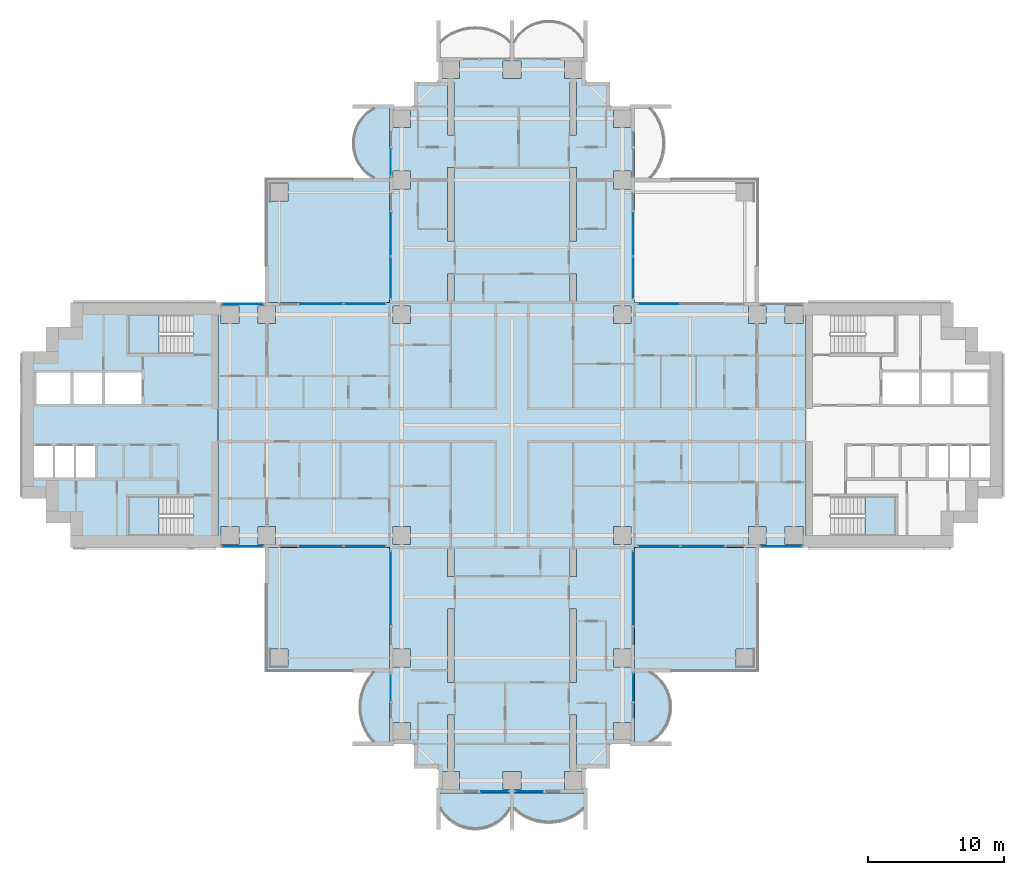
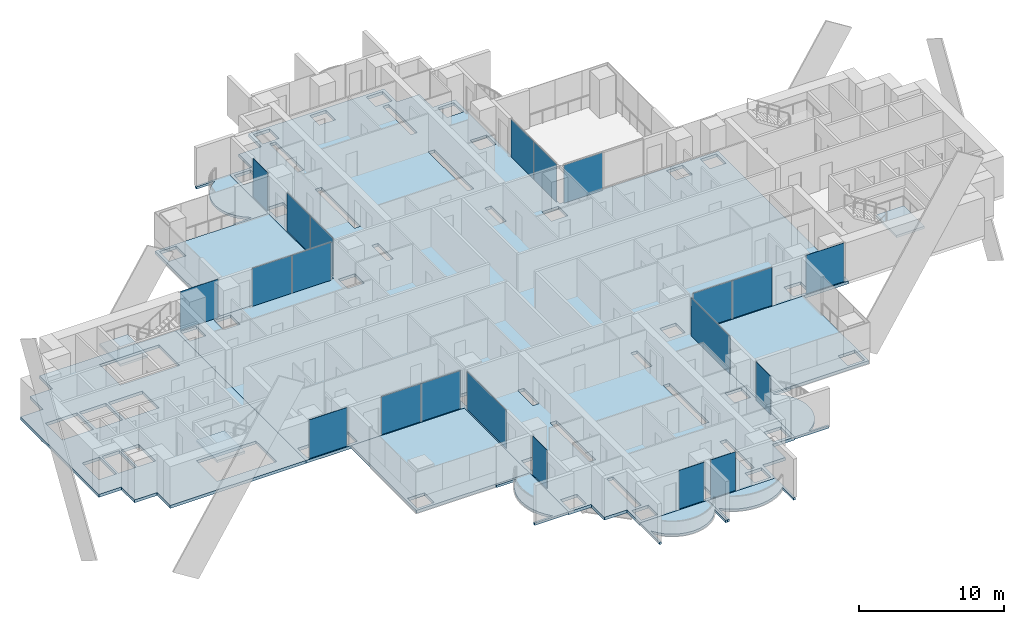
# One storey, part 9 of 23: 21 plates, 13 slabs, 19 elements without a shape of their own.
"""IFC4 building model written with IfcOpenShell, lengths in metres."""

import ifcopenshell
import ifcopenshell.guid

model = None  # the IFC model being written
_history = None  # IfcOwnerHistory: only IFC2X3 demands one
_inside = {}  # id of a spatial element -> (the spatial element, [elements in it])
_under = {}  # id of a project, library or spatial element -> (it, [spatial elements below it])
_declared = {}  # id of a project -> (the project, [libraries it declares])
_typed = {}  # id of a type object -> (the type object, [elements of that type])
_made_of = {}  # id of a material, layer set ... -> (it, [elements and type objects made of it])


def new_model(schema):
    """Start an empty IFC model of exactly this schema.

    Asked for "IFC4X3", IfcOpenShell would pick the latest addendum, in which some entities
    have other attributes; the version numbers below select the first issue.
    IFC2X3 requires an IfcOwnerHistory on every rooted entity: one is made here for all.
    """
    global model, _history
    if schema == "IFC4X3":
        model = ifcopenshell.file(schema_version=(4, 3, 0, 0))
    else:
        model = ifcopenshell.file(schema=schema)
    _inside.clear()
    _under.clear()
    _declared.clear()
    _typed.clear()
    _made_of.clear()
    _history = None
    if model.schema == "IFC2X3":
        org = make("IfcOrganization", Name="unknown")
        user = make(
            "IfcPersonAndOrganization",
            ThePerson=make("IfcPerson", FamilyName="unknown"),
            TheOrganization=org,
        )
        app = make(
            "IfcApplication",
            ApplicationDeveloper=org,
            Version="unknown",
            ApplicationFullName="unknown",
            ApplicationIdentifier="unknown",
        )
        _history = make(
            "IfcOwnerHistory",
            OwningUser=user,
            OwningApplication=app,
            ChangeAction="ADDED",
            CreationDate=0,
        )
    return model


def make(cls, **values):
    """One entity of the class cls with the attributes given. An attribute that is None is left unset."""
    return model.create_entity(
        cls, **{name: value for name, value in values.items() if value is not None}
    )


def rooted(cls, **values):
    """An entity with a GlobalId (a new one), such as an element, a storey or a relation."""
    return make(cls, GlobalId=ifcopenshell.guid.new(), OwnerHistory=_history, **values)


def si_unit(unit_type, name, prefix=None):
    """IfcSIUnit, for example si_unit("LENGTHUNIT", "METRE", prefix="MILLI")."""
    return make("IfcSIUnit", UnitType=unit_type, Prefix=prefix, Name=name)


def assignment(units):
    """IfcUnitAssignment: the units of a project."""
    return None if units is None else make("IfcUnitAssignment", Units=units)


def point(xyz):
    """IfcCartesianPoint."""
    return None if xyz is None else make("IfcCartesianPoint", Coordinates=xyz)


def direction(xyz):
    """IfcDirection."""
    return None if xyz is None else make("IfcDirection", DirectionRatios=xyz)


def frame(location, z_axis=None, x_axis=None):
    """IfcAxis2Placement3D, a coordinate frame: its origin and axes. An axis left out is left unset."""
    return make(
        "IfcAxis2Placement3D",
        Location=point(location),
        Axis=direction(z_axis),
        RefDirection=direction(x_axis),
    )


def frame_2d(location, x_axis=None):
    """IfcAxis2Placement2D, a coordinate frame in the plane: its origin and x axis."""
    return make(
        "IfcAxis2Placement2D", Location=point(location), RefDirection=direction(x_axis)
    )


def origin():
    """The frame at (0, 0, 0) with its axes left unset."""
    return frame((0.0, 0.0, 0.0))


def origin_2d():
    """The frame at (0, 0) in the plane with its x axis left unset."""
    return frame_2d((0.0, 0.0))


def place(relative_to, where):
    """IfcLocalPlacement: puts the frame where relative to a parent placement (None: the world)."""
    return make(
        "IfcLocalPlacement", PlacementRelTo=relative_to, RelativePlacement=where
    )


def context(
    kind, dimensions, precision=None, world=None, true_north=None, identifier=None
):
    """IfcGeometricRepresentationContext, for example the 3D "Model" context."""
    return make(
        "IfcGeometricRepresentationContext",
        ContextIdentifier=identifier,
        ContextType=kind,
        CoordinateSpaceDimension=dimensions,
        Precision=precision,
        WorldCoordinateSystem=world,
        TrueNorth=true_north,
    )


def subcontext(parent, identifier, kind, view, scale=None):
    """IfcGeometricRepresentationSubContext, for example "Body" below "Model"."""
    return make(
        "IfcGeometricRepresentationSubContext",
        ContextIdentifier=identifier,
        ContextType=kind,
        ParentContext=parent,
        TargetScale=scale,
        TargetView=view,
    )


def project(units=None, contexts=None):
    """IfcProject with its units and contexts."""
    return rooted(
        "IfcProject",
        Name="project",
        RepresentationContexts=contexts,
        UnitsInContext=assignment(units),
    )


def spatial(cls, under=None, at=None, **own):
    """A site, building, storey or space (cls), placed at a placement, below another one or the project."""
    s = rooted(cls, ObjectPlacement=at, **own)
    if under is not None:
        _under.setdefault(under.id(), (under, []))[1].append(s)
    return s


def polyline(points):
    """IfcPolyline through the points."""
    return make("IfcPolyline", Points=[point(p) for p in points])


def profile(cls, at=None, kind="AREA", **sizes):
    """A parametric profile (cls). Its sizes go by their IFC names, for example OverallWidth=200.0."""
    return make(cls, ProfileType=kind, Position=at, **sizes)


def rectangle(**sizes):
    """IfcRectangleProfileDef."""
    return profile("IfcRectangleProfileDef", **sizes)


def outline(outer, holes=None, kind="AREA"):
    """IfcArbitraryClosedProfileDef: a profile drawn as a closed curve; with holes, ...WithVoids."""
    if holes is None:
        return make("IfcArbitraryClosedProfileDef", ProfileType=kind, OuterCurve=outer)
    return make(
        "IfcArbitraryProfileDefWithVoids",
        ProfileType=kind,
        OuterCurve=outer,
        InnerCurves=holes,
    )


def extrude(swept, where, along, depth):
    """IfcExtrudedAreaSolid: the profile swept, set in the frame where, extruded along a direction by depth."""
    return make(
        "IfcExtrudedAreaSolid",
        SweptArea=swept,
        Position=where,
        ExtrudedDirection=direction(along),
        Depth=depth,
    )


def shape(context_of_items, identifier, shape_type, items):
    """IfcShapeRepresentation: the items that make up one representation, for example the "Body"."""
    return make(
        "IfcShapeRepresentation",
        ContextOfItems=context_of_items,
        RepresentationIdentifier=identifier,
        RepresentationType=shape_type,
        Items=items,
    )


def material(Name=None, Category=None):
    """IfcMaterial."""
    return make("IfcMaterial", Name=Name, Category=Category)


def layer(
    of_material, thickness, ventilated=None, Name=None, Category=None, Priority=None
):
    """IfcMaterialLayer: one layer of a wall or slab, of a material (None: an air gap)."""
    return make(
        "IfcMaterialLayer",
        Material=of_material,
        LayerThickness=thickness,
        IsVentilated=ventilated,
        Name=Name,
        Category=Category,
        Priority=Priority,
    )


def layer_set(layers, Name=None):
    """IfcMaterialLayerSet."""
    return make("IfcMaterialLayerSet", MaterialLayers=layers, LayerSetName=Name)


def made_of(thing, what):
    """Note that an element or type object is made of a material, layer set ...; save() writes the relation."""
    if what is not None:
        _made_of.setdefault(what.id(), (what, []))[1].append(thing)
    return thing


def type_object(cls, material=None, **own):
    """A type object (cls), such as IfcWallType, which elements share."""
    return made_of(rooted(cls, **own), material)


def element(
    cls,
    number,
    at=None,
    inside=None,
    cuts=None,
    type_object=None,
    material=None,
    context=None,
    identifier="Body",
    shape_type=None,
    held_by="IfcProductDefinitionShape",
    body=None,
    shapes=None,
    **own,
):
    """One element of the class cls, such as IfcWall. Its Tag is "e" and its number.

    at: its placement. inside: the storey or other place that contains it. cuts: it is an
    opening in that element (IfcRelVoidsElement). A single representation is given by context,
    identifier, shape_type and body (its items); several are given by shapes. held_by: the class
    of the entity that holds the representations. save() writes the other relations.
    """
    e = rooted(cls, Tag="e%d" % number, ObjectPlacement=at, **own)
    if body is not None:
        shapes = [shape(context, identifier, shape_type, body)]
    if shapes is not None:
        e.Representation = make(held_by, Representations=shapes)
    if inside is not None:
        _inside.setdefault(inside.id(), (inside, []))[1].append(e)
    if cuts is not None:
        rooted(
            "IfcRelVoidsElement", RelatingBuildingElement=cuts, RelatedOpeningElement=e
        )
    if type_object is not None:
        _typed.setdefault(type_object.id(), (type_object, []))[1].append(e)
    return made_of(e, material)


def aggregate(whole, parts):
    """IfcRelAggregates: a whole, such as a stair, and the parts it consists of."""
    return rooted("IfcRelAggregates", RelatingObject=whole, RelatedObjects=parts)


def save(model, path):
    """Write the relations noted so far, then the file.

    IfcRelAggregates (storeys below a building ...), IfcRelContainedInSpatialStructure (elements
    in a storey), IfcRelDefinesByType, IfcRelAssociatesMaterial and IfcRelDeclares: one each for
    every whole, place, type object, material and project.
    """
    for whole, parts in _under.values():
        aggregate(whole, parts)
    for where, things in _inside.values():
        rooted(
            "IfcRelContainedInSpatialStructure",
            RelatedElements=things,
            RelatingStructure=where,
        )
    for kind, things in _typed.values():
        rooted("IfcRelDefinesByType", RelatedObjects=things, RelatingType=kind)
    for what, things in _made_of.values():
        rooted("IfcRelAssociatesMaterial", RelatedObjects=things, RelatingMaterial=what)
    for by, libraries in _declared.values():
        rooted("IfcRelDeclares", RelatingContext=by, RelatedDefinitions=libraries)
    model.write(path)


model = new_model("IFC4")

# Units and contexts
model_context = context("Model", 3, precision=1e-05, world=origin(), true_north=direction((0.0, 1.0)))
body_context = subcontext(model_context, "Body", "Model", "MODEL_VIEW")
ifc_project = project(units=[si_unit("LENGTHUNIT", "METRE"), si_unit("AREAUNIT", "SQUARE_METRE"), si_unit("VOLUMEUNIT", "CUBIC_METRE"), si_unit("PLANEANGLEUNIT", "RADIAN"), si_unit("MASSUNIT", "GRAM", prefix="KILO")], contexts=[model_context])

# Site, building, storey
site_placement = place(None, origin())
site = spatial("IfcSite", under=ifc_project, at=site_placement, CompositionType="ELEMENT")
building_placement = place(site_placement, origin())
building = spatial("IfcBuilding", under=site, at=building_placement, Name="Perihelion Cross Residences", CompositionType="ELEMENT")
storey_placement = place(building_placement, frame((0.0, 0.0, 85.5)))
storey = spatial("IfcBuildingStorey", under=building, at=storey_placement, Name="L19", CompositionType="ELEMENT", Elevation=85.5)

# Slabs
ifc_material_1 = material(Name="Concrete C40/50", Category="concrete")
ifc_layer_1 = layer(ifc_material_1, 0.199951171875)
ifc_layer_set_1 = layer_set([ifc_layer_1], Name="Balcony slab 200")
slab_type_1 = type_object("IfcSlabType", Name="Balcony slab 200", PredefinedType="FLOOR", material=ifc_layer_set_1)
slab_1_placement = place(storey_placement, frame((0.0, 0.0, -0.199951171875)))
element("IfcSlab", 1, at=slab_1_placement, inside=storey, type_object=slab_type_1, Name="Slab BK1 L19 north side west bay 1 balcony", PredefinedType="FLOOR", context=body_context, shape_type="SweptSolid", body=[
    extrude(outline(polyline([(-9.0, 23.39990234375), (-9.0, 18.0), (-11.699951171875, 18.0), (-11.699951171875, 18.14990234375), (-10.199951171875, 18.14990234375), (-10.6767578125, 18.489990234375), (-11.007080078125, 18.830078125), (-11.2490234375, 19.169921875), (-11.42724609375, 19.510009765625), (-11.553466796875, 19.85009765625), (-11.63427734375, 20.18994140625), (-11.674072265625, 20.530029296875), (-11.674072265625, 20.8701171875), (-11.63427734375, 21.2099609375), (-11.553466796875, 21.550048828125), (-11.42724609375, 21.889892578125), (-11.2490234375, 22.22998046875), (-11.007080078125, 22.570068359375), (-10.6767578125, 22.909912109375), (-10.199951171875, 23.25), (-11.699951171875, 23.25), (-11.699951171875, 23.39990234375), (-9.0, 23.39990234375)])), origin(), (0.0, 0.0, 1.0), 0.199951171875),
])
slab_2_placement = place(storey_placement, frame((0.0, 0.0, -0.199951171875)))
element("IfcSlab", 2, at=slab_2_placement, inside=storey, type_object=slab_type_1, Name="Slab BK1 L19 south side west bay 2 balcony", PredefinedType="FLOOR", context=body_context, shape_type="SweptSolid", body=[
    extrude(outline(polyline([(-9.0, -18.0), (-9.0, -23.39990234375), (-11.699951171875, -23.39990234375), (-11.699951171875, -23.25), (-10.199951171875, -23.25), (-10.5400390625, -22.824951171875), (-10.792724609375, -22.39990234375), (-10.9765625, -21.97509765625), (-11.1025390625, -21.550048828125), (-11.17578125, -21.125), (-11.199951171875, -20.699951171875), (-11.17578125, -20.27490234375), (-11.1025390625, -19.85009765625), (-10.9765625, -19.425048828125), (-10.792724609375, -19.0), (-10.5400390625, -18.574951171875), (-10.199951171875, -18.14990234375), (-11.699951171875, -18.14990234375), (-11.699951171875, -18.0), (-9.0, -18.0)])), origin(), (0.0, 0.0, 1.0), 0.199951171875),
])
slab_3_placement = place(storey_placement, frame((0.0, 0.0, -0.199951171875)))
element("IfcSlab", 3, at=slab_3_placement, inside=storey, type_object=slab_type_1, Name="Slab BK1 L19 south tip south bay 1 balcony", PredefinedType="FLOOR", context=body_context, shape_type="SweptSolid", body=[
    extrude(outline(polyline([(-5.39990234375, -27.0), (0.0, -27.0), (0.0, -29.699951171875), (-0.14990234375, -29.699951171875), (-0.14990234375, -28.199951171875), (-0.489990234375, -28.6767578125), (-0.830078125, -29.007080078125), (-1.169921875, -29.2490234375), (-1.510009765625, -29.42724609375), (-1.85009765625, -29.553466796875), (-2.18994140625, -29.63427734375), (-2.530029296875, -29.674072265625), (-2.8701171875, -29.674072265625), (-3.2099609375, -29.63427734375), (-3.550048828125, -29.553466796875), (-3.889892578125, -29.42724609375), (-4.22998046875, -29.2490234375), (-4.570068359375, -29.007080078125), (-4.909912109375, -28.6767578125), (-5.25, -28.199951171875), (-5.25, -29.699951171875), (-5.39990234375, -29.699951171875), (-5.39990234375, -27.0)])), origin(), (0.0, 0.0, 1.0), 0.199951171875),
])
slab_4_placement = place(storey_placement, frame((0.0, 0.0, -0.199951171875)))
element("IfcSlab", 4, at=slab_4_placement, inside=storey, type_object=slab_type_1, Name="Slab BK1 L19 south tip south bay 2 balcony", PredefinedType="FLOOR", context=body_context, shape_type="SweptSolid", body=[
    extrude(outline(polyline([(0.0, -27.0), (5.39990234375, -27.0), (5.39990234375, -29.699951171875), (5.25, -29.699951171875), (5.25, -28.199951171875), (4.824951171875, -28.5400390625), (4.39990234375, -28.792724609375), (3.97509765625, -28.9765625), (3.550048828125, -29.1025390625), (3.125, -29.17578125), (2.699951171875, -29.199951171875), (2.27490234375, -29.17578125), (1.85009765625, -29.1025390625), (1.425048828125, -28.9765625), (1.0, -28.792724609375), (0.574951171875, -28.5400390625), (0.14990234375, -28.199951171875), (0.14990234375, -29.699951171875), (0.0, -29.699951171875), (0.0, -27.0)])), origin(), (0.0, 0.0, 1.0), 0.199951171875),
])
slab_5_placement = place(storey_placement, frame((0.0, 0.0, -0.199951171875)))
element("IfcSlab", 5, at=slab_5_placement, inside=storey, type_object=slab_type_1, Name="Slab BK1 L19 south side east bay 1 balcony", PredefinedType="FLOOR", context=body_context, shape_type="SweptSolid", body=[
    extrude(outline(polyline([(9.0, -23.39990234375), (9.0, -18.0), (11.699951171875, -18.0), (11.699951171875, -18.14990234375), (10.199951171875, -18.14990234375), (10.6767578125, -18.489990234375), (11.007080078125, -18.830078125), (11.2490234375, -19.169921875), (11.42724609375, -19.510009765625), (11.553466796875, -19.85009765625), (11.63427734375, -20.18994140625), (11.674072265625, -20.530029296875), (11.674072265625, -20.8701171875), (11.63427734375, -21.2099609375), (11.553466796875, -21.550048828125), (11.42724609375, -21.889892578125), (11.2490234375, -22.22998046875), (11.007080078125, -22.570068359375), (10.6767578125, -22.909912109375), (10.199951171875, -23.25), (11.699951171875, -23.25), (11.699951171875, -23.39990234375), (9.0, -23.39990234375)])), origin(), (0.0, 0.0, 1.0), 0.199951171875),
])

# Curtain wall, plate
ifc_material_2 = material(Name="Bronze anodised aluminium, tinted glazing", Category="aluminium")
curtain_wall_type = type_object("IfcCurtainWallType", Name="CW1", PredefinedType="NOTDEFINED", material=ifc_material_2)
curtain_wall_1_placement = place(storey_placement, origin())
curtain_wall_1 = element("IfcCurtainWall", 6, at=curtain_wall_1_placement, inside=storey, type_object=curtain_wall_type, Name="Curtain wall CW1 L19 east side north bay 2", PredefinedType="NOTDEFINED")
ifc_material_3 = material(Name="Tinted laminated glass", Category="glass")
ifc_layer_2 = layer(ifc_material_3, 0.028076171875)
ifc_layer_set_2 = layer_set([ifc_layer_2], Name="CW1 panel")
plate_type = type_object("IfcPlateType", Name="CW1 panel", PredefinedType="CURTAIN_PANEL", material=ifc_layer_set_2)
plate_1_placement = place(storey_placement, frame((10.802490234375, 8.89990234375, 0.0), z_axis=(0.0, 0.0, 1.0), x_axis=(-1.0, 0.0, 0.0)))
plate_1 = element("IfcPlate", 7, at=plate_1_placement, type_object=plate_type, Name="CW1 panel 2", PredefinedType="CURTAIN_PANEL", context=body_context, shape_type="SweptSolid", body=[
    extrude(rectangle(XDim=3.0849609375, YDim=0.028076171875, at=origin_2d()), origin(), (0.0, 0.0, 1.0), 3.18994140625),
])
aggregate(curtain_wall_1, [plate_1])

# Curtain wall, plates
curtain_wall_2_placement = place(storey_placement, origin())
curtain_wall_2 = element("IfcCurtainWall", 8, at=curtain_wall_2_placement, inside=storey, type_object=curtain_wall_type, Name="Curtain wall CW1 L19 north side east bay 1", PredefinedType="NOTDEFINED")
plate_2_placement = place(storey_placement, frame((8.89990234375, 10.802490234375, 0.0), z_axis=(0.0, 0.0, 1.0), x_axis=(0.0, 1.0, 0.0)))
plate_2 = element("IfcPlate", 9, at=plate_2_placement, type_object=plate_type, Name="CW1 panel 1", PredefinedType="CURTAIN_PANEL", context=body_context, shape_type="SweptSolid", body=[
    extrude(rectangle(XDim=3.0849609375, YDim=0.028076171875, at=origin_2d()), origin(), (0.0, 0.0, 1.0), 3.18994140625),
])
plate_3_placement = place(storey_placement, frame((8.89990234375, 13.9775390625, 0.0), z_axis=(0.0, 0.0, 1.0), x_axis=(0.0, 1.0, 0.0)))
plate_3 = element("IfcPlate", 10, at=plate_3_placement, type_object=plate_type, Name="CW1 panel 2", PredefinedType="CURTAIN_PANEL", context=body_context, shape_type="SweptSolid", body=[
    extrude(rectangle(XDim=3.14501953125, YDim=0.028076171875, at=origin_2d()), origin(), (0.0, 0.0, 1.0), 3.18994140625),
])
aggregate(curtain_wall_2, [plate_2, plate_3])

# Curtain wall, plate
curtain_wall_3_placement = place(storey_placement, origin())
curtain_wall_3 = element("IfcCurtainWall", 11, at=curtain_wall_3_placement, inside=storey, type_object=curtain_wall_type, Name="Curtain wall CW1 L19 north side west bay 1", PredefinedType="NOTDEFINED")
plate_4_placement = place(storey_placement, frame((-8.89990234375, 19.2548828125, 0.0), z_axis=(0.0, 0.0, 1.0), x_axis=(0.0, -1.0, 0.0)))
plate_4 = element("IfcPlate", 12, at=plate_4_placement, type_object=plate_type, Name="CW1 panel 1", PredefinedType="CURTAIN_PANEL", context=body_context, shape_type="SweptSolid", body=[
    extrude(rectangle(XDim=1.989990234375, YDim=0.028076171875, at=origin_2d()), origin(), (0.0, 0.0, 1.0), 3.25),
])
aggregate(curtain_wall_3, [plate_4])

# Curtain wall, plates
curtain_wall_4_placement = place(storey_placement, origin())
curtain_wall_4 = element("IfcCurtainWall", 13, at=curtain_wall_4_placement, inside=storey, type_object=curtain_wall_type, Name="Curtain wall CW1 L19 north side west bay 2", PredefinedType="NOTDEFINED")
plate_5_placement = place(storey_placement, frame((-8.89990234375, 13.9775390625, 0.0), z_axis=(0.0, 0.0, 1.0), x_axis=(0.0, -1.0, 0.0)))
plate_5 = element("IfcPlate", 14, at=plate_5_placement, type_object=plate_type, Name="CW1 panel 1", PredefinedType="CURTAIN_PANEL", context=body_context, shape_type="SweptSolid", body=[
    extrude(rectangle(XDim=3.14501953125, YDim=0.028076171875, at=origin_2d()), origin(), (0.0, 0.0, 1.0), 3.18994140625),
])
plate_6_placement = place(storey_placement, frame((-8.89990234375, 10.802490234375, 0.0), z_axis=(0.0, 0.0, 1.0), x_axis=(0.0, -1.0, 0.0)))
plate_6 = element("IfcPlate", 15, at=plate_6_placement, type_object=plate_type, Name="CW1 panel 2", PredefinedType="CURTAIN_PANEL", context=body_context, shape_type="SweptSolid", body=[
    extrude(rectangle(XDim=3.0849609375, YDim=0.028076171875, at=origin_2d()), origin(), (0.0, 0.0, 1.0), 3.18994140625),
])
aggregate(curtain_wall_4, [plate_5, plate_6])

curtain_wall_5_placement = place(storey_placement, origin())
curtain_wall_5 = element("IfcCurtainWall", 16, at=curtain_wall_5_placement, inside=storey, type_object=curtain_wall_type, Name="Curtain wall CW1 L19 west side north bay 1", PredefinedType="NOTDEFINED")
plate_7_placement = place(storey_placement, frame((-10.802490234375, 8.89990234375, 0.0), z_axis=(0.0, 0.0, 1.0), x_axis=(-1.0, 0.0, 0.0)))
plate_7 = element("IfcPlate", 17, at=plate_7_placement, type_object=plate_type, Name="CW1 panel 1", PredefinedType="CURTAIN_PANEL", context=body_context, shape_type="SweptSolid", body=[
    extrude(rectangle(XDim=3.0849609375, YDim=0.028076171875, at=origin_2d()), origin(), (0.0, 0.0, 1.0), 3.18994140625),
])
plate_8_placement = place(storey_placement, frame((-13.9775390625, 8.89990234375, 0.0), z_axis=(0.0, 0.0, 1.0), x_axis=(-1.0, 0.0, 0.0)))
plate_8 = element("IfcPlate", 18, at=plate_8_placement, type_object=plate_type, Name="CW1 panel 2", PredefinedType="CURTAIN_PANEL", context=body_context, shape_type="SweptSolid", body=[
    extrude(rectangle(XDim=3.14501953125, YDim=0.028076171875, at=origin_2d()), origin(), (0.0, 0.0, 1.0), 3.18994140625),
])
aggregate(curtain_wall_5, [plate_7, plate_8])

# Curtain wall, plate
curtain_wall_6_placement = place(storey_placement, origin())
curtain_wall_6 = element("IfcCurtainWall", 19, at=curtain_wall_6_placement, inside=storey, type_object=curtain_wall_type, Name="Curtain wall CW1 L19 west side north bay 2", PredefinedType="NOTDEFINED")
plate_9_placement = place(storey_placement, frame((-19.77490234375, 8.89990234375, 0.0), z_axis=(0.0, 0.0, 1.0), x_axis=(-1.0, 0.0, 0.0)))
plate_9 = element("IfcPlate", 20, at=plate_9_placement, type_object=plate_type, Name="CW1 panel 1", PredefinedType="CURTAIN_PANEL", context=body_context, shape_type="SweptSolid", body=[
    extrude(rectangle(XDim=3.030029296875, YDim=0.028076171875, at=origin_2d()), origin(), (0.0, 0.0, 1.0), 3.25),
])
aggregate(curtain_wall_6, [plate_9])

curtain_wall_7_placement = place(storey_placement, origin())
curtain_wall_7 = element("IfcCurtainWall", 21, at=curtain_wall_7_placement, inside=storey, type_object=curtain_wall_type, Name="Curtain wall CW1 L19 west side south bay 1", PredefinedType="NOTDEFINED")
plate_10_placement = place(storey_placement, frame((-19.77490234375, -8.89990234375, 0.0), z_axis=(0.0, 0.0, 1.0), x_axis=(1.0, 0.0, 0.0)))
plate_10 = element("IfcPlate", 22, at=plate_10_placement, type_object=plate_type, Name="CW1 panel 1", PredefinedType="CURTAIN_PANEL", context=body_context, shape_type="SweptSolid", body=[
    extrude(rectangle(XDim=3.030029296875, YDim=0.028076171875, at=origin_2d()), origin(), (0.0, 0.0, 1.0), 3.25),
])
aggregate(curtain_wall_7, [plate_10])

# Curtain wall, plates
curtain_wall_8_placement = place(storey_placement, origin())
curtain_wall_8 = element("IfcCurtainWall", 23, at=curtain_wall_8_placement, inside=storey, type_object=curtain_wall_type, Name="Curtain wall CW1 L19 west side south bay 2", PredefinedType="NOTDEFINED")
plate_11_placement = place(storey_placement, frame((-13.9775390625, -8.89990234375, 0.0), z_axis=(0.0, 0.0, 1.0), x_axis=(1.0, 0.0, 0.0)))
plate_11 = element("IfcPlate", 24, at=plate_11_placement, type_object=plate_type, Name="CW1 panel 1", PredefinedType="CURTAIN_PANEL", context=body_context, shape_type="SweptSolid", body=[
    extrude(rectangle(XDim=3.14501953125, YDim=0.028076171875, at=origin_2d()), origin(), (0.0, 0.0, 1.0), 3.18994140625),
])
plate_12_placement = place(storey_placement, frame((-10.802490234375, -8.89990234375, 0.0), z_axis=(0.0, 0.0, 1.0), x_axis=(1.0, 0.0, 0.0)))
plate_12 = element("IfcPlate", 25, at=plate_12_placement, type_object=plate_type, Name="CW1 panel 2", PredefinedType="CURTAIN_PANEL", context=body_context, shape_type="SweptSolid", body=[
    extrude(rectangle(XDim=3.0849609375, YDim=0.028076171875, at=origin_2d()), origin(), (0.0, 0.0, 1.0), 3.18994140625),
])
aggregate(curtain_wall_8, [plate_11, plate_12])

# Curtain wall, plate
curtain_wall_9_placement = place(storey_placement, origin())
curtain_wall_9 = element("IfcCurtainWall", 26, at=curtain_wall_9_placement, inside=storey, type_object=curtain_wall_type, Name="Curtain wall CW1 L19 south side west bay 1", PredefinedType="NOTDEFINED")
plate_13_placement = place(storey_placement, frame((-8.89990234375, -11.955078125, 0.0), z_axis=(0.0, 0.0, 1.0), x_axis=(0.0, -1.0, 0.0)))
plate_13 = element("IfcPlate", 27, at=plate_13_placement, type_object=plate_type, Name="CW1 panel 1", PredefinedType="CURTAIN_PANEL", context=body_context, shape_type="SweptSolid", body=[
    extrude(rectangle(XDim=5.389892578125, YDim=0.028076171875, at=origin_2d()), origin(), (0.0, 0.0, 1.0), 3.18994140625),
])
aggregate(curtain_wall_9, [plate_13])

curtain_wall_10_placement = place(storey_placement, origin())
curtain_wall_10 = element("IfcCurtainWall", 28, at=curtain_wall_10_placement, inside=storey, type_object=curtain_wall_type, Name="Curtain wall CW1 L19 south side west bay 2", PredefinedType="NOTDEFINED")
plate_14_placement = place(storey_placement, frame((-8.89990234375, -19.2548828125, 0.0), z_axis=(0.0, 0.0, 1.0), x_axis=(0.0, -1.0, 0.0)))
plate_14 = element("IfcPlate", 29, at=plate_14_placement, type_object=plate_type, Name="CW1 panel 1", PredefinedType="CURTAIN_PANEL", context=body_context, shape_type="SweptSolid", body=[
    extrude(rectangle(XDim=1.989990234375, YDim=0.028076171875, at=origin_2d()), origin(), (0.0, 0.0, 1.0), 3.25),
])
aggregate(curtain_wall_10, [plate_14])

curtain_wall_11_placement = place(storey_placement, origin())
curtain_wall_11 = element("IfcCurtainWall", 30, at=curtain_wall_11_placement, inside=storey, type_object=curtain_wall_type, Name="Curtain wall CW1 L19 south tip south bay 1", PredefinedType="NOTDEFINED")
plate_15_placement = place(storey_placement, frame((-1.2548828125, -26.89990234375, 0.0), z_axis=(0.0, 0.0, 1.0), x_axis=(1.0, 0.0, 0.0)))
plate_15 = element("IfcPlate", 31, at=plate_15_placement, type_object=plate_type, Name="CW1 panel 1", PredefinedType="CURTAIN_PANEL", context=body_context, shape_type="SweptSolid", body=[
    extrude(rectangle(XDim=1.989990234375, YDim=0.028076171875, at=origin_2d()), origin(), (0.0, 0.0, 1.0), 3.25),
])
aggregate(curtain_wall_11, [plate_15])

curtain_wall_12_placement = place(storey_placement, origin())
curtain_wall_12 = element("IfcCurtainWall", 32, at=curtain_wall_12_placement, inside=storey, type_object=curtain_wall_type, Name="Curtain wall CW1 L19 south tip south bay 2", PredefinedType="NOTDEFINED")
plate_16_placement = place(storey_placement, frame((1.2548828125, -26.89990234375, 0.0), z_axis=(0.0, 0.0, 1.0), x_axis=(1.0, 0.0, 0.0)))
plate_16 = element("IfcPlate", 33, at=plate_16_placement, type_object=plate_type, Name="CW1 panel 1", PredefinedType="CURTAIN_PANEL", context=body_context, shape_type="SweptSolid", body=[
    extrude(rectangle(XDim=1.989990234375, YDim=0.028076171875, at=origin_2d()), origin(), (0.0, 0.0, 1.0), 3.25),
])
aggregate(curtain_wall_12, [plate_16])

curtain_wall_13_placement = place(storey_placement, origin())
curtain_wall_13 = element("IfcCurtainWall", 34, at=curtain_wall_13_placement, inside=storey, type_object=curtain_wall_type, Name="Curtain wall CW1 L19 south side east bay 1", PredefinedType="NOTDEFINED")
plate_17_placement = place(storey_placement, frame((8.89990234375, -19.2548828125, 0.0), z_axis=(0.0, 0.0, 1.0), x_axis=(0.0, 1.0, 0.0)))
plate_17 = element("IfcPlate", 35, at=plate_17_placement, type_object=plate_type, Name="CW1 panel 1", PredefinedType="CURTAIN_PANEL", context=body_context, shape_type="SweptSolid", body=[
    extrude(rectangle(XDim=1.989990234375, YDim=0.028076171875, at=origin_2d()), origin(), (0.0, 0.0, 1.0), 3.25),
])
aggregate(curtain_wall_13, [plate_17])

curtain_wall_14_placement = place(storey_placement, origin())
curtain_wall_14 = element("IfcCurtainWall", 36, at=curtain_wall_14_placement, inside=storey, type_object=curtain_wall_type, Name="Curtain wall CW1 L19 south side east bay 2", PredefinedType="NOTDEFINED")
plate_18_placement = place(storey_placement, frame((8.89990234375, -11.955078125, 0.0), z_axis=(0.0, 0.0, 1.0), x_axis=(0.0, 1.0, 0.0)))
plate_18 = element("IfcPlate", 37, at=plate_18_placement, type_object=plate_type, Name="CW1 panel 1", PredefinedType="CURTAIN_PANEL", context=body_context, shape_type="SweptSolid", body=[
    extrude(rectangle(XDim=5.389892578125, YDim=0.028076171875, at=origin_2d()), origin(), (0.0, 0.0, 1.0), 3.18994140625),
])
aggregate(curtain_wall_14, [plate_18])

# Curtain wall, plates
curtain_wall_15_placement = place(storey_placement, origin())
curtain_wall_15 = element("IfcCurtainWall", 38, at=curtain_wall_15_placement, inside=storey, type_object=curtain_wall_type, Name="Curtain wall CW1 L19 east side south bay 1", PredefinedType="NOTDEFINED")
plate_19_placement = place(storey_placement, frame((10.802490234375, -8.89990234375, 0.0), z_axis=(0.0, 0.0, 1.0), x_axis=(1.0, 0.0, 0.0)))
plate_19 = element("IfcPlate", 39, at=plate_19_placement, type_object=plate_type, Name="CW1 panel 1", PredefinedType="CURTAIN_PANEL", context=body_context, shape_type="SweptSolid", body=[
    extrude(rectangle(XDim=3.0849609375, YDim=0.028076171875, at=origin_2d()), origin(), (0.0, 0.0, 1.0), 3.18994140625),
])
plate_20_placement = place(storey_placement, frame((13.9775390625, -8.89990234375, 0.0), z_axis=(0.0, 0.0, 1.0), x_axis=(1.0, 0.0, 0.0)))
plate_20 = element("IfcPlate", 40, at=plate_20_placement, type_object=plate_type, Name="CW1 panel 2", PredefinedType="CURTAIN_PANEL", context=body_context, shape_type="SweptSolid", body=[
    extrude(rectangle(XDim=3.14501953125, YDim=0.028076171875, at=origin_2d()), origin(), (0.0, 0.0, 1.0), 3.18994140625),
])
aggregate(curtain_wall_15, [plate_19, plate_20])

# Curtain wall, plate
curtain_wall_16_placement = place(storey_placement, origin())
curtain_wall_16 = element("IfcCurtainWall", 41, at=curtain_wall_16_placement, inside=storey, type_object=curtain_wall_type, Name="Curtain wall CW1 L19 east side south bay 2", PredefinedType="NOTDEFINED")
plate_21_placement = place(storey_placement, frame((19.77490234375, -8.89990234375, 0.0), z_axis=(0.0, 0.0, 1.0), x_axis=(1.0, 0.0, 0.0)))
plate_21 = element("IfcPlate", 42, at=plate_21_placement, type_object=plate_type, Name="CW1 panel 1", PredefinedType="CURTAIN_PANEL", context=body_context, shape_type="SweptSolid", body=[
    extrude(rectangle(XDim=3.030029296875, YDim=0.028076171875, at=origin_2d()), origin(), (0.0, 0.0, 1.0), 3.25),
])
aggregate(curtain_wall_16, [plate_21])

# Slabs
ifc_material_4 = material(Name="Concrete C40/50", Category="concrete")
ifc_layer_3 = layer(ifc_material_4, 0.25)
ifc_layer_set_3 = layer_set([ifc_layer_3], Name="Core floor slab 250")
slab_type_2 = type_object("IfcSlabType", Name="Core floor slab 250", PredefinedType="FLOOR", material=ifc_layer_set_3)
slab_6_placement = place(storey_placement, frame((0.0, 0.0, -0.25)))
element("IfcSlab", 43, at=slab_6_placement, inside=storey, type_object=slab_type_2, Name="West core floor slab", PredefinedType="FLOOR", context=body_context, shape_type="SweptSolid", body=[
    extrude(outline(polyline([(-32.39990234375, 7.199951171875), (-34.199951171875, 7.199951171875), (-34.199951171875, 5.39990234375), (-36.0, 5.39990234375), (-36.0, -5.39990234375), (-34.199951171875, -5.39990234375), (-34.199951171875, -7.199951171875), (-32.39990234375, -7.199951171875), (-32.39990234375, -9.0), (-21.60009765625, -9.0), (-21.60009765625, 9.0), (-32.39990234375, 9.0), (-32.39990234375, 7.199951171875)]), holes=[polyline([(-23.405029296875, -8.10009765625), (-28.14990234375, -8.10009765625), (-28.14990234375, -5.25), (-23.405029296875, -5.25), (-23.405029296875, -8.10009765625)]), polyline([(-30.60009765625, -1.550048828125), (-30.60009765625, -3.85009765625), (-32.0, -3.85009765625), (-32.0, -1.550048828125), (-30.60009765625, -1.550048828125)]), polyline([(-32.14990234375, -1.550048828125), (-32.14990234375, -3.85009765625), (-33.550048828125, -3.85009765625), (-33.550048828125, -1.550048828125), (-32.14990234375, -1.550048828125)]), polyline([(-33.699951171875, -1.550048828125), (-33.699951171875, -3.85009765625), (-35.10009765625, -3.85009765625), (-35.10009765625, -1.550048828125), (-33.699951171875, -1.550048828125)]), polyline([(-27.199951171875, 3.85009765625), (-27.199951171875, 1.550048828125), (-29.89990234375, 1.550048828125), (-29.89990234375, 3.85009765625), (-27.199951171875, 3.85009765625)]), polyline([(-30.10009765625, 3.85009765625), (-30.10009765625, 1.550048828125), (-32.199951171875, 1.550048828125), (-32.199951171875, 3.85009765625), (-30.10009765625, 3.85009765625)]), polyline([(-32.39990234375, 3.85009765625), (-32.39990234375, 1.550048828125), (-34.89990234375, 1.550048828125), (-34.89990234375, 3.85009765625), (-32.39990234375, 3.85009765625)]), polyline([(-23.405029296875, 5.25), (-28.14990234375, 5.25), (-28.14990234375, 8.10009765625), (-23.405029296875, 8.10009765625), (-23.405029296875, 5.25)])]), origin(), (0.0, 0.0, 1.0), 0.25),
])
ifc_material_5 = material(Name="Concrete C40/50", Category="concrete")
ifc_layer_4 = layer(ifc_material_5, 0.25)
ifc_layer_set_4 = layer_set([ifc_layer_4], Name="Corner terrace slab")
slab_type_3 = type_object("IfcSlabType", Name="Corner terrace slab", PredefinedType="FLOOR", material=ifc_layer_set_4)
slab_7_placement = place(storey_placement, frame((0.0, 0.0, -0.25)))
element("IfcSlab", 44, at=slab_7_placement, inside=storey, type_object=slab_type_3, Name="Slab BK2 L19 pocket north-west", PredefinedType="FLOOR", context=body_context, shape_type="SweptSolid", body=[
    extrude(outline(polyline([(-9.0, 9.0), (-9.0, 18.0), (-18.0, 18.0), (-18.0, 9.0), (-9.0, 9.0)]), holes=[polyline([(-17.7900390625, 16.409912109375), (-17.7900390625, 17.7900390625), (-16.449951171875, 17.7900390625), (-16.449951171875, 16.449951171875), (-17.75, 16.449951171875), (-17.75, 16.409912109375), (-17.7900390625, 16.409912109375)])]), origin(), (0.0, 0.0, 1.0), 0.25),
])
slab_8_placement = place(storey_placement, frame((0.0, 0.0, -0.25)))
element("IfcSlab", 45, at=slab_8_placement, inside=storey, type_object=slab_type_3, Name="Slab BK2 L19 pocket south-west", PredefinedType="FLOOR", context=body_context, shape_type="SweptSolid", body=[
    extrude(outline(polyline([(-9.0, -18.0), (-9.0, -9.0), (-18.0, -9.0), (-18.0, -18.0), (-9.0, -18.0)]), holes=[polyline([(-17.7900390625, -16.409912109375), (-17.75, -16.409912109375), (-17.75, -16.449951171875), (-16.449951171875, -16.449951171875), (-16.449951171875, -17.7900390625), (-17.7900390625, -17.7900390625), (-17.7900390625, -16.409912109375)])]), origin(), (0.0, 0.0, 1.0), 0.25),
])
slab_9_placement = place(storey_placement, frame((0.0, 0.0, -0.25)))
element("IfcSlab", 46, at=slab_9_placement, inside=storey, type_object=slab_type_3, Name="Slab BK2 L19 pocket south-east", PredefinedType="FLOOR", context=body_context, shape_type="SweptSolid", body=[
    extrude(outline(polyline([(18.0, -18.0), (18.0, -9.0), (9.0, -9.0), (9.0, -18.0), (18.0, -18.0)]), holes=[polyline([(16.449951171875, -17.7900390625), (16.449951171875, -16.449951171875), (17.75, -16.449951171875), (17.75, -16.409912109375), (17.7900390625, -16.409912109375), (17.7900390625, -17.7900390625), (16.449951171875, -17.7900390625)])]), origin(), (0.0, 0.0, 1.0), 0.25),
])

# Stair, slab
ifc_material_6 = material(Name="Concrete C40/50", Category="concrete")
stair_type = type_object("IfcStairType", Name="Exit stair, half-turn", PredefinedType="HALF_TURN_STAIR", material=ifc_material_6)
stair_1_placement = place(storey_placement, origin())
stair_1 = element("IfcStair", 47, at=stair_1_placement, inside=storey, type_object=stair_type, Name="L19 East core exit stair 2", PredefinedType="HALF_TURN_STAIR")
ifc_material_7 = material(Name="Concrete C40/50", Category="concrete")
ifc_layer_5 = layer(ifc_material_7, 0.199951171875)
ifc_layer_set_5 = layer_set([ifc_layer_5], Name="Exit stair landing 200")
slab_type_4 = type_object("IfcSlabType", Name="Exit stair landing 200", PredefinedType="LANDING", material=ifc_layer_set_5)
slab_10_placement = place(storey_placement, frame((0.0, 0.0, 1.550048828125)))
slab_10 = element("IfcSlab", 48, at=slab_10_placement, type_object=slab_type_4, Name="ST-E2 landing 1", PredefinedType="LANDING", context=body_context, shape_type="SweptSolid", body=[
    extrude(outline(polyline([(25.919921875, -8.10009765625), (28.14990234375, -8.10009765625), (28.14990234375, -5.25), (25.919921875, -5.25), (25.919921875, -8.10009765625)])), origin(), (0.0, 0.0, 1.0), 0.199951171875),
])
aggregate(stair_1, [slab_10])

stair_2_placement = place(storey_placement, origin())
stair_2 = element("IfcStair", 49, at=stair_2_placement, inside=storey, type_object=stair_type, Name="L19 West core exit stair 1", PredefinedType="HALF_TURN_STAIR")
slab_11_placement = place(storey_placement, frame((0.0, 0.0, 1.550048828125)))
slab_11 = element("IfcSlab", 50, at=slab_11_placement, type_object=slab_type_4, Name="ST-W1 landing 1", PredefinedType="LANDING", context=body_context, shape_type="SweptSolid", body=[
    extrude(outline(polyline([(-25.919921875, 8.10009765625), (-28.14990234375, 8.10009765625), (-28.14990234375, 5.25), (-25.919921875, 5.25), (-25.919921875, 8.10009765625)])), origin(), (0.0, 0.0, 1.0), 0.199951171875),
])
aggregate(stair_2, [slab_11])

stair_3_placement = place(storey_placement, origin())
stair_3 = element("IfcStair", 51, at=stair_3_placement, inside=storey, type_object=stair_type, Name="L19 West core exit stair 2", PredefinedType="HALF_TURN_STAIR")
slab_12_placement = place(storey_placement, frame((0.0, 0.0, 1.550048828125)))
slab_12 = element("IfcSlab", 52, at=slab_12_placement, type_object=slab_type_4, Name="ST-W2 landing 1", PredefinedType="LANDING", context=body_context, shape_type="SweptSolid", body=[
    extrude(outline(polyline([(-25.919921875, -5.25), (-28.14990234375, -5.25), (-28.14990234375, -8.10009765625), (-25.919921875, -8.10009765625), (-25.919921875, -5.25)])), origin(), (0.0, 0.0, 1.0), 0.199951171875),
])
aggregate(stair_3, [slab_12])

# Slab
ifc_material_8 = material(Name="Concrete C50/60", Category="concrete")
ifc_layer_6 = layer(ifc_material_8, 0.25)
ifc_layer_set_6 = layer_set([ifc_layer_6], Name="Residential floor post-tensioned slab concrete C50/60")
slab_type_5 = type_object("IfcSlabType", Name="Residential floor post-tensioned slab concrete C50/60", PredefinedType="FLOOR", material=ifc_layer_set_6)
slab_13_placement = place(storey_placement, frame((0.0, 0.0, -0.25)))
element("IfcSlab", 53, at=slab_13_placement, inside=storey, type_object=slab_type_5, Name="Slab SL8 L19 1 no. 1", PredefinedType="FLOOR", context=body_context, shape_type="SweptSolid", body=[
    extrude(outline(polyline([(-9.0, 9.0), (-9.0, 23.39990234375), (-7.199951171875, 23.39990234375), (-7.199951171875, 25.199951171875), (-5.39990234375, 25.199951171875), (-5.39990234375, 27.0), (5.39990234375, 27.0), (5.39990234375, 25.199951171875), (7.199951171875, 25.199951171875), (7.199951171875, 23.39990234375), (9.0, 23.39990234375), (9.0, 9.0), (21.60009765625, 9.0), (21.60009765625, -9.0), (9.0, -9.0), (9.0, -23.39990234375), (7.199951171875, -23.39990234375), (7.199951171875, -25.199951171875), (5.39990234375, -25.199951171875), (5.39990234375, -27.0), (-5.39990234375, -27.0), (-5.39990234375, -25.199951171875), (-7.199951171875, -25.199951171875), (-7.199951171875, -23.39990234375), (-9.0, -23.39990234375), (-9.0, -9.0), (-21.60009765625, -9.0), (-21.60009765625, 9.0), (-9.0, 9.0)]), holes=[polyline([(0.64990234375, -26.75), (0.64990234375, -25.449951171875), (-0.64990234375, -25.449951171875), (-0.64990234375, -26.75), (0.64990234375, -26.75)]), polyline([(-3.85009765625, -26.75), (-3.85009765625, -25.449951171875), (-5.14990234375, -25.449951171875), (-5.14990234375, -26.75), (-3.85009765625, -26.75)]), polyline([(-4.25, -25.199951171875), (-4.25, -21.300048828125), (-4.75, -21.300048828125), (-4.75, -25.199951171875), (-4.25, -25.199951171875)]), polyline([(-8.75, -23.14990234375), (-7.449951171875, -23.14990234375), (-7.449951171875, -21.85009765625), (-8.75, -21.85009765625), (-8.75, -23.14990234375)]), polyline([(-8.75, -17.75), (-7.449951171875, -17.75), (-7.449951171875, -16.449951171875), (-8.75, -16.449951171875), (-8.75, -17.75)]), polyline([(-4.25, -18.89990234375), (-4.25, -13.5), (-4.75, -13.5), (-4.75, -18.89990234375), (-4.25, -18.89990234375)]), polyline([(-4.25, -11.10009765625), (-4.25, -9.0), (-4.75, -9.0), (-4.75, -11.10009765625), (-4.25, -11.10009765625)]), polyline([(-7.449951171875, -8.75), (-7.449951171875, -7.449951171875), (-8.75, -7.449951171875), (-8.75, -8.75), (-7.449951171875, -8.75)]), polyline([(-18.64990234375, -8.75), (-17.35009765625, -8.75), (-17.35009765625, -7.449951171875), (-18.64990234375, -7.449951171875), (-18.64990234375, -8.75)]), polyline([(-21.35009765625, -8.75), (-20.050048828125, -8.75), (-20.050048828125, -7.449951171875), (-21.35009765625, -7.449951171875), (-21.35009765625, -8.75)]), polyline([(-17.35009765625, 7.449951171875), (-17.35009765625, 8.75), (-18.64990234375, 8.75), (-18.64990234375, 7.449951171875), (-17.35009765625, 7.449951171875)]), polyline([(-7.449951171875, 7.449951171875), (-7.449951171875, 8.75), (-8.75, 8.75), (-8.75, 7.449951171875), (-7.449951171875, 7.449951171875)]), polyline([(-21.35009765625, 7.449951171875), (-20.050048828125, 7.449951171875), (-20.050048828125, 8.75), (-21.35009765625, 8.75), (-21.35009765625, 7.449951171875)]), polyline([(-4.75, 9.0), (-4.25, 9.0), (-4.25, 11.10009765625), (-4.75, 11.10009765625), (-4.75, 9.0)]), polyline([(-4.25, 13.5), (-4.25, 18.89990234375), (-4.75, 18.89990234375), (-4.75, 13.5), (-4.25, 13.5)]), polyline([(-7.449951171875, 17.35009765625), (-7.449951171875, 18.64990234375), (-8.75, 18.64990234375), (-8.75, 17.35009765625), (-7.449951171875, 17.35009765625)]), polyline([(-7.449951171875, 21.85009765625), (-7.449951171875, 23.14990234375), (-8.75, 23.14990234375), (-8.75, 21.85009765625), (-7.449951171875, 21.85009765625)]), polyline([(-4.75, 21.300048828125), (-4.25, 21.300048828125), (-4.25, 25.199951171875), (-4.75, 25.199951171875), (-4.75, 21.300048828125)]), polyline([(-5.14990234375, 25.449951171875), (-3.85009765625, 25.449951171875), (-3.85009765625, 26.75), (-5.14990234375, 26.75), (-5.14990234375, 25.449951171875)]), polyline([(5.14990234375, -26.75), (5.14990234375, -25.449951171875), (3.85009765625, -25.449951171875), (3.85009765625, -26.75), (5.14990234375, -26.75)]), polyline([(4.75, -25.199951171875), (4.75, -21.300048828125), (4.25, -21.300048828125), (4.25, -25.199951171875), (4.75, -25.199951171875)]), polyline([(8.75, -23.14990234375), (8.75, -21.85009765625), (7.449951171875, -21.85009765625), (7.449951171875, -23.14990234375), (8.75, -23.14990234375)]), polyline([(7.449951171875, -17.75), (8.75, -17.75), (8.75, -16.449951171875), (7.449951171875, -16.449951171875), (7.449951171875, -17.75)]), polyline([(4.25, -18.89990234375), (4.75, -18.89990234375), (4.75, -13.5), (4.25, -13.5), (4.25, -18.89990234375)]), polyline([(4.75, -11.10009765625), (4.75, -9.0), (4.25, -9.0), (4.25, -11.10009765625), (4.75, -11.10009765625)]), polyline([(18.64990234375, -8.75), (18.64990234375, -7.449951171875), (17.35009765625, -7.449951171875), (17.35009765625, -8.75), (18.64990234375, -8.75)]), polyline([(21.35009765625, -8.75), (21.35009765625, -7.449951171875), (20.050048828125, -7.449951171875), (20.050048828125, -8.75), (21.35009765625, -8.75)]), polyline([(7.449951171875, -8.75), (8.75, -8.75), (8.75, -7.449951171875), (7.449951171875, -7.449951171875), (7.449951171875, -8.75)]), polyline([(21.35009765625, 7.449951171875), (21.35009765625, 8.75), (20.050048828125, 8.75), (20.050048828125, 7.449951171875), (21.35009765625, 7.449951171875)]), polyline([(8.75, 7.449951171875), (8.75, 8.75), (7.449951171875, 8.75), (7.449951171875, 7.449951171875), (8.75, 7.449951171875)]), polyline([(18.64990234375, 7.449951171875), (18.64990234375, 8.75), (17.35009765625, 8.75), (17.35009765625, 7.449951171875), (18.64990234375, 7.449951171875)]), polyline([(4.25, 9.0), (4.75, 9.0), (4.75, 11.10009765625), (4.25, 11.10009765625), (4.25, 9.0)]), polyline([(4.25, 13.5), (4.75, 13.5), (4.75, 18.89990234375), (4.25, 18.89990234375), (4.25, 13.5)]), polyline([(8.75, 17.35009765625), (8.75, 18.64990234375), (7.449951171875, 18.64990234375), (7.449951171875, 17.35009765625), (8.75, 17.35009765625)]), polyline([(8.75, 21.85009765625), (8.75, 23.14990234375), (7.449951171875, 23.14990234375), (7.449951171875, 21.85009765625), (8.75, 21.85009765625)]), polyline([(4.75, 21.300048828125), (4.75, 25.199951171875), (4.25, 25.199951171875), (4.25, 21.300048828125), (4.75, 21.300048828125)]), polyline([(-0.64990234375, 25.449951171875), (0.64990234375, 25.449951171875), (0.64990234375, 26.75), (-0.64990234375, 26.75), (-0.64990234375, 25.449951171875)]), polyline([(3.85009765625, 25.449951171875), (5.14990234375, 25.449951171875), (5.14990234375, 26.75), (3.85009765625, 26.75), (3.85009765625, 25.449951171875)])]), origin(), (0.0, 0.0, 1.0), 0.25),
])

save(model, "model.ifc")
